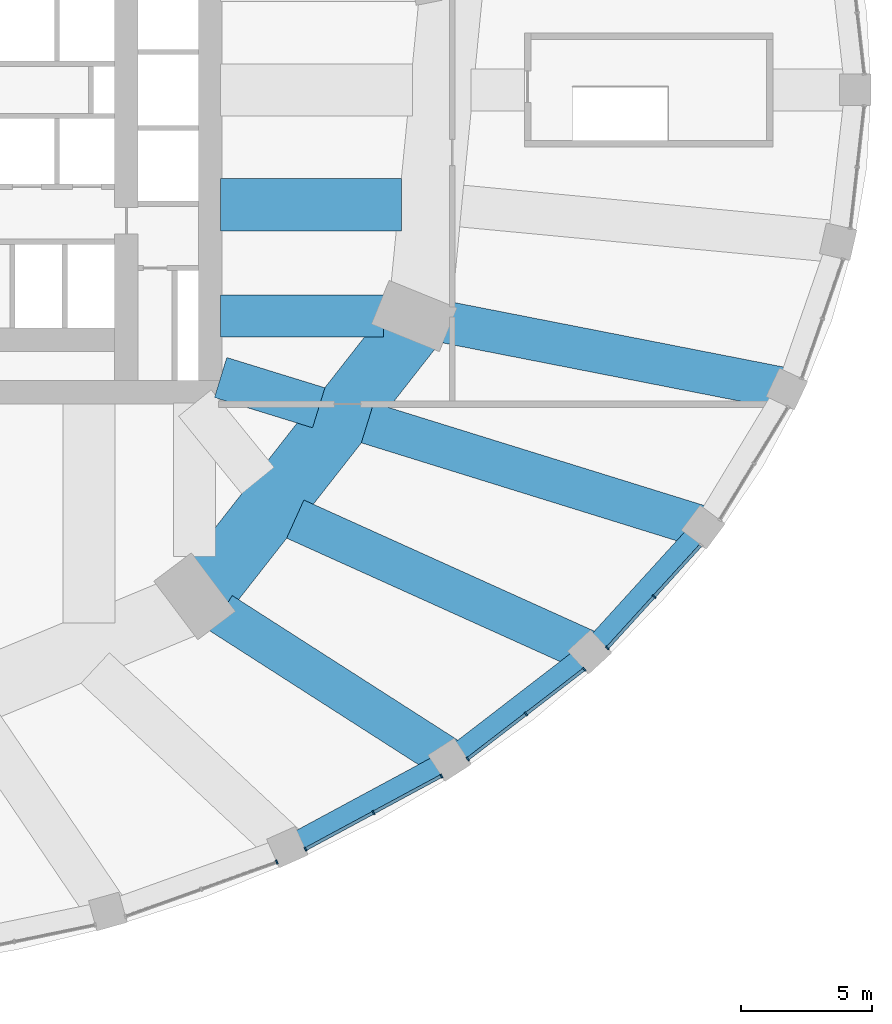
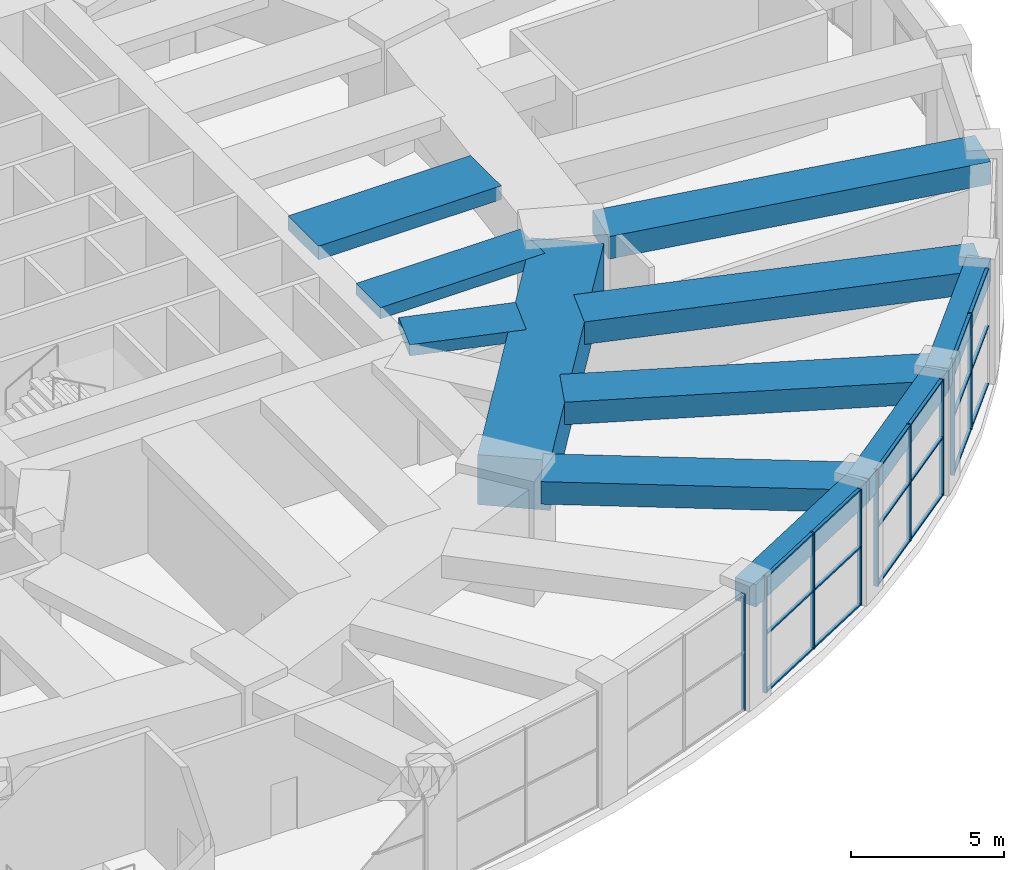
# One storey, part 12 of 30: 27 members, 11 beams, 4 elements without a shape of their own.
"""IFC4 building model written with IfcOpenShell, lengths in metres."""

from ifc_helpers import new_model, si_unit, direction, frame, origin, origin_2d, place, context, subcontext, project, spatial, rectangle, extrude, material, material_profile, profile_set, type_object, element, aggregate, save


model = new_model("IFC4")

# Units and contexts
model_context = context("Model", 3, precision=1e-05, world=origin(), true_north=direction((0.0, 1.0)))
body_context = subcontext(model_context, "Body", "Model", "MODEL_VIEW")
ifc_project = project(units=[si_unit("LENGTHUNIT", "METRE"), si_unit("AREAUNIT", "SQUARE_METRE"), si_unit("VOLUMEUNIT", "CUBIC_METRE"), si_unit("PLANEANGLEUNIT", "RADIAN"), si_unit("MASSUNIT", "GRAM", prefix="KILO")], contexts=[model_context])

# Site, building, storey
site_placement = place(None, origin())
site = spatial("IfcSite", under=ifc_project, at=site_placement, CompositionType="ELEMENT")
building_placement = place(site_placement, origin())
building = spatial("IfcBuilding", under=site, at=building_placement, Name="Taillehof Tower", CompositionType="ELEMENT")
storey_placement = place(building_placement, frame((0.0, 0.0, 12.5)))
storey = spatial("IfcBuildingStorey", under=building, at=storey_placement, Name="L02", CompositionType="ELEMENT", Elevation=12.5)

# Beams
ifc_material_1 = material(Name="Concrete C50/60", Category="concrete")
ifc_material_profile_1 = material_profile(ifc_material_1, rectangle(XDim=0.800048828125, YDim=0.89990234375, at=origin_2d()), Name="RC 800x900")
ifc_profile_set_1 = profile_set([ifc_material_profile_1], Name="Concrete C50/60")
beam_type_1 = type_object("IfcBeamType", Name="Podium edge beam C50/60 800x900", PredefinedType="BEAM", material=ifc_profile_set_1)
beam_1_placement = place(storey_placement, frame((21.699951171875, -28.92529296875, 4.199951171875), z_axis=(0.880322944269, 0.474374866317, 0.0), x_axis=(-0.474374866317, 0.880322944269, 0.0)))
element("IfcBeam", 1, at=beam_1_placement, inside=storey, type_object=beam_type_1, Name="Podium edge beam PB31", PredefinedType="BEAM", context=body_context, shape_type="SweptSolid", body=[
    extrude(rectangle(XDim=0.800048828125, YDim=0.89990234375, at=origin_2d()), origin(), (0.0, 0.0, 1.0), 7.03955078125),
])
beam_2_placement = place(storey_placement, frame((27.89697265625, -25.5859375, 4.199951171875), z_axis=(0.79247741179, 0.609901263978, 0.0), x_axis=(-0.609901263978, 0.79247741179, 0.0)))
element("IfcBeam", 2, at=beam_2_placement, inside=storey, type_object=beam_type_1, Name="Podium edge beam PB32", PredefinedType="BEAM", context=body_context, shape_type="SweptSolid", body=[
    extrude(rectangle(XDim=0.800048828125, YDim=0.89990234375, at=origin_2d()), origin(), (0.0, 0.0, 1.0), 6.750244140625),
])
beam_3_placement = place(storey_placement, frame((33.246337890625, -21.468994140625, 4.199951171875), z_axis=(0.67297994181, 0.739660731634, 0.0), x_axis=(-0.739660731634, 0.67297994181, 0.0)))
element("IfcBeam", 3, at=beam_3_placement, inside=storey, type_object=beam_type_1, Name="Podium edge beam PB33", PredefinedType="BEAM", context=body_context, shape_type="SweptSolid", body=[
    extrude(rectangle(XDim=0.800048828125, YDim=0.89990234375, at=origin_2d()), origin(), (0.0, 0.0, 1.0), 6.447509765625),
])
ifc_material_2 = material(Name="Concrete C50/60", Category="concrete")
ifc_material_profile_2 = material_profile(ifc_material_2, rectangle(XDim=1.60009765625, YDim=0.89990234375, at=origin_2d()), Name="RC 1600x900")
ifc_profile_set_2 = profile_set([ifc_material_profile_2], Name="Concrete C50/60")
beam_type_2 = type_object("IfcBeamType", Name="Podium radial beam C50/60 1600x900", PredefinedType="BEAM", material=ifc_profile_set_2)
beam_4_placement = place(storey_placement, frame((27.89697265625, -25.5859375, 4.199951171875), z_axis=(-0.841849251076, 0.539712736984, 0.0), x_axis=(-0.539712736984, -0.841849251076, 0.0)))
element("IfcBeam", 4, at=beam_4_placement, inside=storey, type_object=beam_type_2, Name="Podium radial beam PR32", PredefinedType="BEAM", context=body_context, shape_type="SweptSolid", body=[
    extrude(rectangle(XDim=1.60009765625, YDim=0.89990234375, at=origin_2d()), origin(), (0.0, 0.0, 1.0), 10.372802734375),
])
beam_5_placement = place(storey_placement, frame((33.246337890625, -21.468994140625, 4.199951171875), z_axis=(-0.911448409223, 0.411414386385, 0.0), x_axis=(-0.411414386385, -0.911448409223, 0.0)))
element("IfcBeam", 5, at=beam_5_placement, inside=storey, type_object=beam_type_2, Name="Podium radial beam PR33", PredefinedType="BEAM", context=body_context, shape_type="SweptSolid", body=[
    extrude(rectangle(XDim=1.60009765625, YDim=0.89990234375, at=origin_2d()), origin(), (0.0, 0.0, 1.0), 12.336669921875),
])
beam_6_placement = place(storey_placement, frame((37.58544921875, -16.699951171875, 4.199951171875), z_axis=(-0.954998443455, 0.296610810656, 0.0), x_axis=(-0.296610810656, -0.954998443455, 0.0)))
element("IfcBeam", 6, at=beam_6_placement, inside=storey, type_object=beam_type_2, Name="Podium radial beam PR34", PredefinedType="BEAM", context=body_context, shape_type="SweptSolid", body=[
    extrude(rectangle(XDim=1.60009765625, YDim=0.89990234375, at=origin_2d()), origin(), (0.0, 0.0, 1.0), 13.42724609375),
])
beam_7_placement = place(storey_placement, frame((40.78271484375, -11.423583984375, 4.199951171875), z_axis=(-0.981362804823, 0.192164110357, 0.0), x_axis=(-0.192164110357, -0.981362804823, 0.0)))
element("IfcBeam", 7, at=beam_7_placement, inside=storey, type_object=beam_type_2, Name="Podium radial beam PR35", PredefinedType="BEAM", context=body_context, shape_type="SweptSolid", body=[
    extrude(rectangle(XDim=1.60009765625, YDim=0.89990234375, at=origin_2d()), origin(), (0.0, 0.0, 1.0), 13.23974609375),
])

# Curtain wall, member
ifc_material_3 = material(Name="Aluminium curtain wall with Clear low-emissivity double glazing", Category="aluminium")
curtain_wall_type = type_object("IfcCurtainWallType", Name="Podium window wall curtain wall", PredefinedType="USERDEFINED", material=ifc_material_3)
curtain_wall_1_placement = place(storey_placement, origin())
curtain_wall_1 = element("IfcCurtainWall", 8, at=curtain_wall_1_placement, inside=storey, type_object=curtain_wall_type, Name="Podium window wall L02 bay 30", ObjectType="WINDOW WALL", PredefinedType="USERDEFINED")
ifc_material_4 = material(Name="Aluminium mullion", Category="aluminium")
ifc_material_profile_3 = material_profile(ifc_material_4, rectangle(XDim=0.159912109375, YDim=0.06005859375, at=origin_2d()), Name="AL 60x160")
ifc_profile_set_3 = profile_set([ifc_material_profile_3], Name="Aluminium mullion")
member_type_1 = type_object("IfcMemberType", Name="Podium window wall mullion 60x160", PredefinedType="MULLION", material=ifc_profile_set_3)
member_1_placement = place(storey_placement, frame((21.29638671875, -29.4931640625, 0.0), z_axis=(0.0, 0.0, 1.0), x_axis=(-0.337798502496, 0.94121845058, 0.0)))
member_1 = element("IfcMember", 9, at=member_1_placement, type_object=member_type_1, Name="CT230 mullion 3", PredefinedType="MULLION", context=body_context, shape_type="SweptSolid", body=[
    extrude(rectangle(XDim=0.159912109375, YDim=0.06005859375, at=origin_2d()), origin(), (0.0, 0.0, 1.0), 4.64990234375),
])
aggregate(curtain_wall_1, [member_1])

# Curtain wall, members
curtain_wall_2_placement = place(storey_placement, origin())
curtain_wall_2 = element("IfcCurtainWall", 10, at=curtain_wall_2_placement, inside=storey, type_object=curtain_wall_type, Name="Podium window wall L02 bay 31", ObjectType="WINDOW WALL", PredefinedType="USERDEFINED")
member_2_placement = place(storey_placement, frame((22.392333984375, -29.004638671875, 0.0), z_axis=(0.0, 0.0, 1.0), x_axis=(-0.474414781992, 0.880301433958, 0.0)))
member_2 = element("IfcMember", 11, at=member_2_placement, type_object=member_type_1, Name="CT231 mullion 1", PredefinedType="MULLION", context=body_context, shape_type="SweptSolid", body=[
    extrude(rectangle(XDim=0.159912109375, YDim=0.06005859375, at=origin_2d()), origin(), (0.0, 0.0, 1.0), 4.64990234375),
])
member_3_placement = place(storey_placement, frame((24.98828125, -27.60546875, 0.0), z_axis=(0.0, 0.0, 1.0), x_axis=(-0.474414781992, 0.880301433958, 0.0)))
member_3 = element("IfcMember", 12, at=member_3_placement, type_object=member_type_1, Name="CT231 mullion 2", PredefinedType="MULLION", context=body_context, shape_type="SweptSolid", body=[
    extrude(rectangle(XDim=0.159912109375, YDim=0.06005859375, at=origin_2d()), origin(), (0.0, 0.0, 1.0), 4.64990234375),
])
member_4_placement = place(storey_placement, frame((27.584228515625, -26.20654296875, 0.0), z_axis=(0.0, 0.0, 1.0), x_axis=(-0.474414781992, 0.880301433958, 0.0)))
member_4 = element("IfcMember", 13, at=member_4_placement, type_object=member_type_1, Name="CT231 mullion 3", PredefinedType="MULLION", context=body_context, shape_type="SweptSolid", body=[
    extrude(rectangle(XDim=0.159912109375, YDim=0.06005859375, at=origin_2d()), origin(), (0.0, 0.0, 1.0), 4.64990234375),
])

curtain_wall_3_placement = place(storey_placement, origin())
curtain_wall_3 = element("IfcCurtainWall", 14, at=curtain_wall_3_placement, inside=storey, type_object=curtain_wall_type, Name="Podium window wall L02 bay 32", ObjectType="WINDOW WALL", PredefinedType="USERDEFINED")
member_5_placement = place(storey_placement, frame((28.59130859375, -25.5537109375, 0.0), z_axis=(0.0, 0.0, 1.0), x_axis=(-0.60993206075, 0.792453709228, 0.0)))
member_5 = element("IfcMember", 15, at=member_5_placement, type_object=member_type_1, Name="CT232 mullion 1", PredefinedType="MULLION", context=body_context, shape_type="SweptSolid", body=[
    extrude(rectangle(XDim=0.159912109375, YDim=0.06005859375, at=origin_2d()), origin(), (0.0, 0.0, 1.0), 4.64990234375),
])
member_6_placement = place(storey_placement, frame((30.8154296875, -23.842041015625, 0.0), z_axis=(0.0, 0.0, 1.0), x_axis=(-0.60993206075, 0.792453709228, 0.0)))
member_6 = element("IfcMember", 16, at=member_6_placement, type_object=member_type_1, Name="CT232 mullion 2", PredefinedType="MULLION", context=body_context, shape_type="SweptSolid", body=[
    extrude(rectangle(XDim=0.159912109375, YDim=0.06005859375, at=origin_2d()), origin(), (0.0, 0.0, 1.0), 4.64990234375),
])
member_7_placement = place(storey_placement, frame((33.03955078125, -22.130126953125, 0.0), z_axis=(0.0, 0.0, 1.0), x_axis=(-0.60993206075, 0.792453709228, 0.0)))
member_7 = element("IfcMember", 17, at=member_7_placement, type_object=member_type_1, Name="CT232 mullion 3", PredefinedType="MULLION", context=body_context, shape_type="SweptSolid", body=[
    extrude(rectangle(XDim=0.159912109375, YDim=0.06005859375, at=origin_2d()), origin(), (0.0, 0.0, 1.0), 4.64990234375),
])

curtain_wall_4_placement = place(storey_placement, origin())
curtain_wall_4 = element("IfcCurtainWall", 18, at=curtain_wall_4_placement, inside=storey, type_object=curtain_wall_type, Name="Podium window wall L02 bay 33", ObjectType="WINDOW WALL", PredefinedType="USERDEFINED")
member_8_placement = place(storey_placement, frame((33.922119140625, -21.317138671875, 0.0), z_axis=(0.0, 0.0, 1.0), x_axis=(-0.739707112587, 0.672928961769, 0.0)))
member_8 = element("IfcMember", 19, at=member_8_placement, type_object=member_type_1, Name="CT233 mullion 1", PredefinedType="MULLION", context=body_context, shape_type="SweptSolid", body=[
    extrude(rectangle(XDim=0.159912109375, YDim=0.06005859375, at=origin_2d()), origin(), (0.0, 0.0, 1.0), 4.64990234375),
])
member_9_placement = place(storey_placement, frame((35.7109375, -19.35107421875, 0.0), z_axis=(0.0, 0.0, 1.0), x_axis=(-0.739707112587, 0.672928961769, 0.0)))
member_9 = element("IfcMember", 20, at=member_9_placement, type_object=member_type_1, Name="CT233 mullion 2", PredefinedType="MULLION", context=body_context, shape_type="SweptSolid", body=[
    extrude(rectangle(XDim=0.159912109375, YDim=0.06005859375, at=origin_2d()), origin(), (0.0, 0.0, 1.0), 4.64990234375),
])

# Member
ifc_material_5 = material(Name="Aluminium transom", Category="aluminium")
ifc_material_profile_4 = material_profile(ifc_material_5, rectangle(XDim=0.1201171875, YDim=0.06005859375, at=origin_2d()), Name="AL 120x60")
ifc_profile_set_4 = profile_set([ifc_material_profile_4], Name="Aluminium transom")
member_type_2 = type_object("IfcMemberType", Name="Podium window wall transom 120x60", PredefinedType="USERDEFINED", material=ifc_profile_set_4)
member_10_placement = place(storey_placement, frame((22.418701171875, -28.990478515625, 0.030029296875), z_axis=(0.880300092261, 0.474417271571, 0.0), x_axis=(-0.474417271571, 0.880300092261, 0.0)))
member_10 = element("IfcMember", 21, at=member_10_placement, type_object=member_type_2, Name="CT231 transom 1.1", ObjectType="TRANSOM", PredefinedType="USERDEFINED", context=body_context, shape_type="SweptSolid", body=[
    extrude(rectangle(XDim=0.1201171875, YDim=0.06005859375, at=origin_2d()), origin(), (0.0, 0.0, 1.0), 2.888916015625),
])

member_11_placement = place(storey_placement, frame((22.418701171875, -28.990478515625, 2.324951171875), z_axis=(0.880300092261, 0.474417271571, 0.0), x_axis=(-0.474417271571, 0.880300092261, 0.0)))
member_11 = element("IfcMember", 22, at=member_11_placement, type_object=member_type_2, Name="CT231 transom 1.2", ObjectType="TRANSOM", PredefinedType="USERDEFINED", context=body_context, shape_type="SweptSolid", body=[
    extrude(rectangle(XDim=0.1201171875, YDim=0.06005859375, at=origin_2d()), origin(), (0.0, 0.0, 1.0), 2.888916015625),
])

member_12_placement = place(storey_placement, frame((22.418701171875, -28.990478515625, 4.6201171875), z_axis=(0.880300092261, 0.474417271571, 0.0), x_axis=(-0.474417271571, 0.880300092261, 0.0)))
member_12 = element("IfcMember", 23, at=member_12_placement, type_object=member_type_2, Name="CT231 transom 1.3", ObjectType="TRANSOM", PredefinedType="USERDEFINED", context=body_context, shape_type="SweptSolid", body=[
    extrude(rectangle(XDim=0.1201171875, YDim=0.06005859375, at=origin_2d()), origin(), (0.0, 0.0, 1.0), 2.888916015625),
])

member_13_placement = place(storey_placement, frame((25.014892578125, -27.59130859375, 0.030029296875), z_axis=(0.880281070202, 0.474452566063, 0.0), x_axis=(-0.474452566063, 0.880281070202, 0.0)))
member_13 = element("IfcMember", 24, at=member_13_placement, type_object=member_type_2, Name="CT231 transom 2.1", ObjectType="TRANSOM", PredefinedType="USERDEFINED", context=body_context, shape_type="SweptSolid", body=[
    extrude(rectangle(XDim=0.1201171875, YDim=0.06005859375, at=origin_2d()), origin(), (0.0, 0.0, 1.0), 2.888916015625),
])

member_14_placement = place(storey_placement, frame((25.014892578125, -27.59130859375, 2.324951171875), z_axis=(0.880281070202, 0.474452566063, 0.0), x_axis=(-0.474452566063, 0.880281070202, 0.0)))
member_14 = element("IfcMember", 25, at=member_14_placement, type_object=member_type_2, Name="CT231 transom 2.2", ObjectType="TRANSOM", PredefinedType="USERDEFINED", context=body_context, shape_type="SweptSolid", body=[
    extrude(rectangle(XDim=0.1201171875, YDim=0.06005859375, at=origin_2d()), origin(), (0.0, 0.0, 1.0), 2.888916015625),
])

member_15_placement = place(storey_placement, frame((25.014892578125, -27.59130859375, 4.6201171875), z_axis=(0.880281070202, 0.474452566063, 0.0), x_axis=(-0.474452566063, 0.880281070202, 0.0)))
member_15 = element("IfcMember", 26, at=member_15_placement, type_object=member_type_2, Name="CT231 transom 2.3", ObjectType="TRANSOM", PredefinedType="USERDEFINED", context=body_context, shape_type="SweptSolid", body=[
    extrude(rectangle(XDim=0.1201171875, YDim=0.06005859375, at=origin_2d()), origin(), (0.0, 0.0, 1.0), 2.888916015625),
])

aggregate(curtain_wall_2, [member_2, member_3, member_4, member_10, member_11, member_12, member_13, member_14, member_15])

member_16_placement = place(storey_placement, frame((28.614990234375, -25.535400390625, 0.030029296875), z_axis=(0.792481870823, 0.609895470075, 0.0), x_axis=(-0.609895470075, 0.792481870823, 0.0)))
member_16 = element("IfcMember", 27, at=member_16_placement, type_object=member_type_2, Name="CT232 transom 1.1", ObjectType="TRANSOM", PredefinedType="USERDEFINED", context=body_context, shape_type="SweptSolid", body=[
    extrude(rectangle(XDim=0.1201171875, YDim=0.06005859375, at=origin_2d()), origin(), (0.0, 0.0, 1.0), 2.746337890625),
])

member_17_placement = place(storey_placement, frame((28.614990234375, -25.535400390625, 2.324951171875), z_axis=(0.792481870823, 0.609895470075, 0.0), x_axis=(-0.609895470075, 0.792481870823, 0.0)))
member_17 = element("IfcMember", 28, at=member_17_placement, type_object=member_type_2, Name="CT232 transom 1.2", ObjectType="TRANSOM", PredefinedType="USERDEFINED", context=body_context, shape_type="SweptSolid", body=[
    extrude(rectangle(XDim=0.1201171875, YDim=0.06005859375, at=origin_2d()), origin(), (0.0, 0.0, 1.0), 2.746337890625),
])

member_18_placement = place(storey_placement, frame((28.614990234375, -25.535400390625, 4.6201171875), z_axis=(0.792481870823, 0.609895470075, 0.0), x_axis=(-0.609895470075, 0.792481870823, 0.0)))
member_18 = element("IfcMember", 29, at=member_18_placement, type_object=member_type_2, Name="CT232 transom 1.3", ObjectType="TRANSOM", PredefinedType="USERDEFINED", context=body_context, shape_type="SweptSolid", body=[
    extrude(rectangle(XDim=0.1201171875, YDim=0.06005859375, at=origin_2d()), origin(), (0.0, 0.0, 1.0), 2.746337890625),
])

member_19_placement = place(storey_placement, frame((30.839111328125, -23.82373046875, 0.030029296875), z_axis=(0.792438906392, 0.609951292839, 0.0), x_axis=(-0.609951292839, 0.792438906392, 0.0)))
member_19 = element("IfcMember", 30, at=member_19_placement, type_object=member_type_2, Name="CT232 transom 2.1", ObjectType="TRANSOM", PredefinedType="USERDEFINED", context=body_context, shape_type="SweptSolid", body=[
    extrude(rectangle(XDim=0.1201171875, YDim=0.06005859375, at=origin_2d()), origin(), (0.0, 0.0, 1.0), 2.74658203125),
])

member_20_placement = place(storey_placement, frame((30.839111328125, -23.82373046875, 2.324951171875), z_axis=(0.792438906392, 0.609951292839, 0.0), x_axis=(-0.609951292839, 0.792438906392, 0.0)))
member_20 = element("IfcMember", 31, at=member_20_placement, type_object=member_type_2, Name="CT232 transom 2.2", ObjectType="TRANSOM", PredefinedType="USERDEFINED", context=body_context, shape_type="SweptSolid", body=[
    extrude(rectangle(XDim=0.1201171875, YDim=0.06005859375, at=origin_2d()), origin(), (0.0, 0.0, 1.0), 2.74658203125),
])

member_21_placement = place(storey_placement, frame((30.839111328125, -23.82373046875, 4.6201171875), z_axis=(0.792438906392, 0.609951292839, 0.0), x_axis=(-0.609951292839, 0.792438906392, 0.0)))
member_21 = element("IfcMember", 32, at=member_21_placement, type_object=member_type_2, Name="CT232 transom 2.3", ObjectType="TRANSOM", PredefinedType="USERDEFINED", context=body_context, shape_type="SweptSolid", body=[
    extrude(rectangle(XDim=0.1201171875, YDim=0.06005859375, at=origin_2d()), origin(), (0.0, 0.0, 1.0), 2.74658203125),
])

aggregate(curtain_wall_3, [member_5, member_6, member_7, member_16, member_17, member_18, member_19, member_20, member_21])

member_22_placement = place(storey_placement, frame((33.9423828125, -21.294921875, 0.030029296875), z_axis=(0.672958072108, 0.73968062918, 0.0), x_axis=(-0.73968062918, 0.672958072108, 0.0)))
member_22 = element("IfcMember", 33, at=member_22_placement, type_object=member_type_2, Name="CT233 transom 1.1", ObjectType="TRANSOM", PredefinedType="USERDEFINED", context=body_context, shape_type="SweptSolid", body=[
    extrude(rectangle(XDim=0.1201171875, YDim=0.06005859375, at=origin_2d()), origin(), (0.0, 0.0, 1.0), 2.597900390625),
])

member_23_placement = place(storey_placement, frame((33.9423828125, -21.294921875, 2.324951171875), z_axis=(0.672958072108, 0.73968062918, 0.0), x_axis=(-0.73968062918, 0.672958072108, 0.0)))
member_23 = element("IfcMember", 34, at=member_23_placement, type_object=member_type_2, Name="CT233 transom 1.2", ObjectType="TRANSOM", PredefinedType="USERDEFINED", context=body_context, shape_type="SweptSolid", body=[
    extrude(rectangle(XDim=0.1201171875, YDim=0.06005859375, at=origin_2d()), origin(), (0.0, 0.0, 1.0), 2.597900390625),
])

member_24_placement = place(storey_placement, frame((33.9423828125, -21.294921875, 4.6201171875), z_axis=(0.672958072108, 0.73968062918, 0.0), x_axis=(-0.73968062918, 0.672958072108, 0.0)))
member_24 = element("IfcMember", 35, at=member_24_placement, type_object=member_type_2, Name="CT233 transom 1.3", ObjectType="TRANSOM", PredefinedType="USERDEFINED", context=body_context, shape_type="SweptSolid", body=[
    extrude(rectangle(XDim=0.1201171875, YDim=0.06005859375, at=origin_2d()), origin(), (0.0, 0.0, 1.0), 2.597900390625),
])

member_25_placement = place(storey_placement, frame((35.73095703125, -19.328857421875, 0.030029296875), z_axis=(0.672911295482, 0.739723183639, 0.0), x_axis=(-0.739723183639, 0.672911295482, 0.0)))
member_25 = element("IfcMember", 36, at=member_25_placement, type_object=member_type_2, Name="CT233 transom 2.1", ObjectType="TRANSOM", PredefinedType="USERDEFINED", context=body_context, shape_type="SweptSolid", body=[
    extrude(rectangle(XDim=0.1201171875, YDim=0.06005859375, at=origin_2d()), origin(), (0.0, 0.0, 1.0), 2.59814453125),
])

member_26_placement = place(storey_placement, frame((35.73095703125, -19.328857421875, 2.324951171875), z_axis=(0.672911295482, 0.739723183639, 0.0), x_axis=(-0.739723183639, 0.672911295482, 0.0)))
member_26 = element("IfcMember", 37, at=member_26_placement, type_object=member_type_2, Name="CT233 transom 2.2", ObjectType="TRANSOM", PredefinedType="USERDEFINED", context=body_context, shape_type="SweptSolid", body=[
    extrude(rectangle(XDim=0.1201171875, YDim=0.06005859375, at=origin_2d()), origin(), (0.0, 0.0, 1.0), 2.59814453125),
])

member_27_placement = place(storey_placement, frame((35.73095703125, -19.328857421875, 4.6201171875), z_axis=(0.672911295482, 0.739723183639, 0.0), x_axis=(-0.739723183639, 0.672911295482, 0.0)))
member_27 = element("IfcMember", 38, at=member_27_placement, type_object=member_type_2, Name="CT233 transom 2.3", ObjectType="TRANSOM", PredefinedType="USERDEFINED", context=body_context, shape_type="SweptSolid", body=[
    extrude(rectangle(XDim=0.1201171875, YDim=0.06005859375, at=origin_2d()), origin(), (0.0, 0.0, 1.0), 2.59814453125),
])

aggregate(curtain_wall_4, [member_8, member_9, member_22, member_23, member_24, member_25, member_26, member_27])

# Beams
ifc_material_6 = material(Name="Concrete C50/60", Category="concrete")
ifc_material_profile_5 = material_profile(ifc_material_6, rectangle(XDim=1.60009765625, YDim=0.449951171875, at=origin_2d()), Name="RC 1600x450")
ifc_profile_set_5 = profile_set([ifc_material_profile_5], Name="Concrete C50/60")
beam_type_3 = type_object("IfcBeamType", Name="Radial band beam C50/60 1600x450", PredefinedType="BEAM", material=ifc_profile_set_5)
beam_8_placement = place(storey_placement, frame((22.898681640625, -12.1416015625, 4.425048828125), z_axis=(-0.955530952742, 0.294890824462, 0.0), x_axis=(-0.294890824462, -0.955530952742, 0.0)))
element("IfcBeam", 39, at=beam_8_placement, inside=storey, type_object=beam_type_3, Name="Radial band beam RB34", PredefinedType="BEAM", context=body_context, shape_type="SweptSolid", body=[
    extrude(rectangle(XDim=1.60009765625, YDim=0.449951171875, at=origin_2d()), origin(), (0.0, 0.0, 1.0), 3.9208984375),
])
beam_9_placement = place(storey_placement, frame((25.36474609375, -8.635986328125, 4.425048828125), z_axis=(-1.0, 0.0, 0.0), x_axis=(0.0, -1.0, 0.0)))
element("IfcBeam", 40, at=beam_9_placement, inside=storey, type_object=beam_type_3, Name="Radial band beam RB35", PredefinedType="BEAM", context=body_context, shape_type="SweptSolid", body=[
    extrude(rectangle(XDim=1.60009765625, YDim=0.449951171875, at=origin_2d()), origin(), (0.0, 0.0, 1.0), 6.21484375),
])
ifc_material_7 = material(Name="Concrete C50/60", Category="concrete")
ifc_material_profile_6 = material_profile(ifc_material_7, rectangle(XDim=2.0, YDim=0.550048828125, at=origin_2d()), Name="RC 2000x550")
ifc_profile_set_6 = profile_set([ifc_material_profile_6], Name="Concrete C50/60")
beam_type_4 = type_object("IfcBeamType", Name="Radial band beam C50/60 2000x550", PredefinedType="BEAM", material=ifc_profile_set_6)
beam_10_placement = place(storey_placement, frame((26.05712890625, -4.384521484375, 4.375), z_axis=(-1.0, 0.0, 0.0), x_axis=(0.0, -1.0, 0.0)))
element("IfcBeam", 41, at=beam_10_placement, inside=storey, type_object=beam_type_4, Name="Radial band beam RB36", PredefinedType="BEAM", context=body_context, shape_type="SweptSolid", body=[
    extrude(rectangle(XDim=2.0, YDim=0.550048828125, at=origin_2d()), origin(), (0.0, 0.0, 1.0), 6.9072265625),
])
ifc_material_8 = material(Name="Concrete C80/95", Category="concrete")
ifc_material_profile_7 = material_profile(ifc_material_8, rectangle(XDim=2.39990234375, YDim=2.0, at=origin_2d()), Name="RC 2400x2000")
ifc_profile_set_7 = profile_set([ifc_material_profile_7], Name="Concrete C80/95")
beam_type_5 = type_object("IfcBeamType", Name="Transfer girder C80/95 2400x2000", PredefinedType="BEAM", material=ifc_profile_set_7)
beam_11_placement = place(storey_placement, frame((18.65771484375, -19.030029296875, 3.64990234375), z_axis=(0.616700056561, 0.787198221694, 0.0), x_axis=(-0.787198221694, 0.616700056561, 0.0)))
element("IfcBeam", 42, at=beam_11_placement, inside=storey, type_object=beam_type_5, Name="Transfer girder TG11", PredefinedType="BEAM", context=body_context, shape_type="SweptSolid", body=[
    extrude(rectangle(XDim=2.39990234375, YDim=2.0, at=origin_2d()), origin(), (0.0, 0.0, 1.0), 12.51513671875),
])

save(model, "model.ifc")
